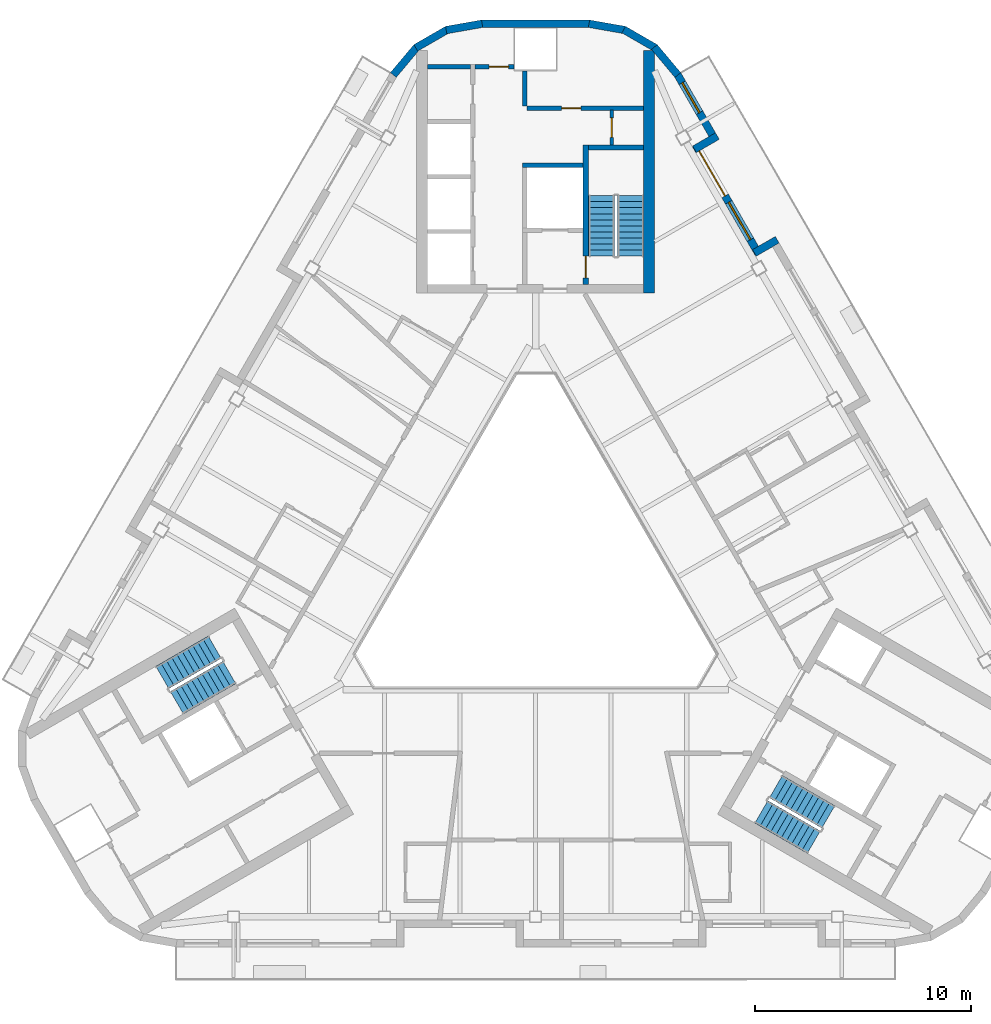
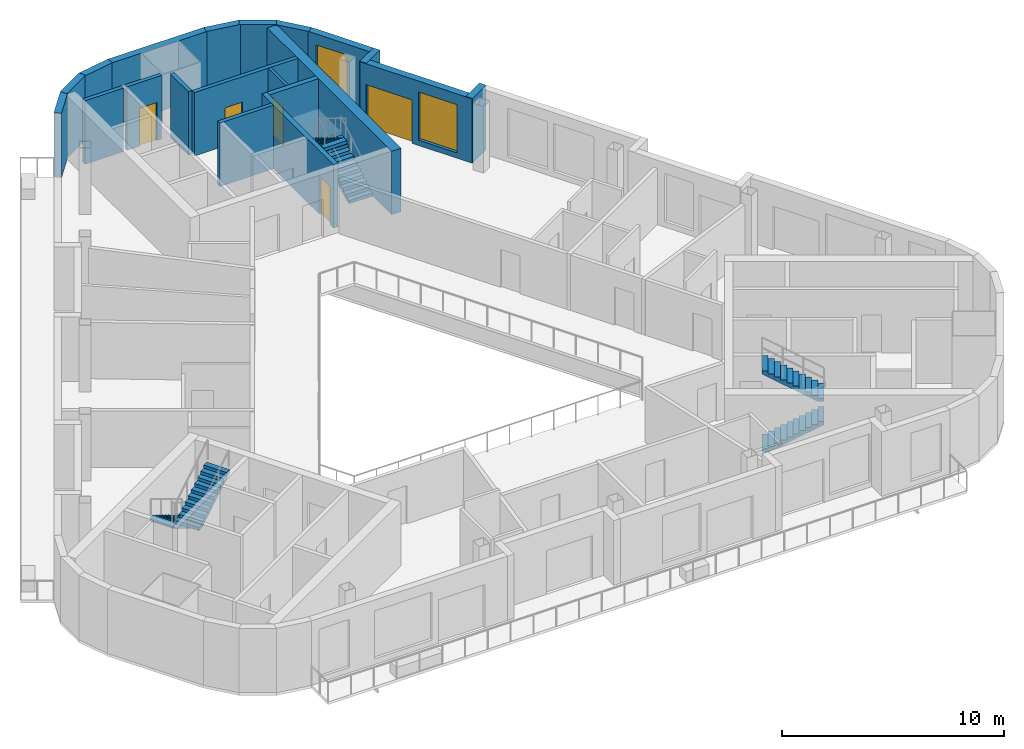
# One storey, part 7 of 12: 20 walls, 6 stair flights, 5 doors, 2 windows, 7 openings, 3 elements without a shape of their own.
"""IFC4 building model written with IfcOpenShell, lengths in metres."""

import ifcopenshell
import ifcopenshell.guid

model = None  # the IFC model being written
_history = None  # IfcOwnerHistory: only IFC2X3 demands one
_inside = {}  # id of a spatial element -> (the spatial element, [elements in it])
_under = {}  # id of a project, library or spatial element -> (it, [spatial elements below it])
_declared = {}  # id of a project -> (the project, [libraries it declares])
_typed = {}  # id of a type object -> (the type object, [elements of that type])
_made_of = {}  # id of a material, layer set ... -> (it, [elements and type objects made of it])


def new_model(schema):
    """Start an empty IFC model of exactly this schema.

    Asked for "IFC4X3", IfcOpenShell would pick the latest addendum, in which some entities
    have other attributes; the version numbers below select the first issue.
    IFC2X3 requires an IfcOwnerHistory on every rooted entity: one is made here for all.
    """
    global model, _history
    if schema == "IFC4X3":
        model = ifcopenshell.file(schema_version=(4, 3, 0, 0))
    else:
        model = ifcopenshell.file(schema=schema)
    _inside.clear()
    _under.clear()
    _declared.clear()
    _typed.clear()
    _made_of.clear()
    _history = None
    if model.schema == "IFC2X3":
        org = make("IfcOrganization", Name="unknown")
        user = make(
            "IfcPersonAndOrganization",
            ThePerson=make("IfcPerson", FamilyName="unknown"),
            TheOrganization=org,
        )
        app = make(
            "IfcApplication",
            ApplicationDeveloper=org,
            Version="unknown",
            ApplicationFullName="unknown",
            ApplicationIdentifier="unknown",
        )
        _history = make(
            "IfcOwnerHistory",
            OwningUser=user,
            OwningApplication=app,
            ChangeAction="ADDED",
            CreationDate=0,
        )
    return model


def make(cls, **values):
    """One entity of the class cls with the attributes given. An attribute that is None is left unset."""
    return model.create_entity(
        cls, **{name: value for name, value in values.items() if value is not None}
    )


def rooted(cls, **values):
    """An entity with a GlobalId (a new one), such as an element, a storey or a relation."""
    return make(cls, GlobalId=ifcopenshell.guid.new(), OwnerHistory=_history, **values)


def si_unit(unit_type, name, prefix=None):
    """IfcSIUnit, for example si_unit("LENGTHUNIT", "METRE", prefix="MILLI")."""
    return make("IfcSIUnit", UnitType=unit_type, Prefix=prefix, Name=name)


def assignment(units):
    """IfcUnitAssignment: the units of a project."""
    return None if units is None else make("IfcUnitAssignment", Units=units)


def point(xyz):
    """IfcCartesianPoint."""
    return None if xyz is None else make("IfcCartesianPoint", Coordinates=xyz)


def direction(xyz):
    """IfcDirection."""
    return None if xyz is None else make("IfcDirection", DirectionRatios=xyz)


def frame(location, z_axis=None, x_axis=None):
    """IfcAxis2Placement3D, a coordinate frame: its origin and axes. An axis left out is left unset."""
    return make(
        "IfcAxis2Placement3D",
        Location=point(location),
        Axis=direction(z_axis),
        RefDirection=direction(x_axis),
    )


def frame_2d(location, x_axis=None):
    """IfcAxis2Placement2D, a coordinate frame in the plane: its origin and x axis."""
    return make(
        "IfcAxis2Placement2D", Location=point(location), RefDirection=direction(x_axis)
    )


def origin():
    """The frame at (0, 0, 0) with its axes left unset."""
    return frame((0.0, 0.0, 0.0))


def place(relative_to, where):
    """IfcLocalPlacement: puts the frame where relative to a parent placement (None: the world)."""
    return make(
        "IfcLocalPlacement", PlacementRelTo=relative_to, RelativePlacement=where
    )


def context(
    kind, dimensions, precision=None, world=None, true_north=None, identifier=None
):
    """IfcGeometricRepresentationContext, for example the 3D "Model" context."""
    return make(
        "IfcGeometricRepresentationContext",
        ContextIdentifier=identifier,
        ContextType=kind,
        CoordinateSpaceDimension=dimensions,
        Precision=precision,
        WorldCoordinateSystem=world,
        TrueNorth=true_north,
    )


def subcontext(parent, identifier, kind, view, scale=None):
    """IfcGeometricRepresentationSubContext, for example "Body" below "Model"."""
    return make(
        "IfcGeometricRepresentationSubContext",
        ContextIdentifier=identifier,
        ContextType=kind,
        ParentContext=parent,
        TargetScale=scale,
        TargetView=view,
    )


def project(units=None, contexts=None):
    """IfcProject with its units and contexts."""
    return rooted(
        "IfcProject",
        Name="project",
        RepresentationContexts=contexts,
        UnitsInContext=assignment(units),
    )


def spatial(cls, under=None, at=None, **own):
    """A site, building, storey or space (cls), placed at a placement, below another one or the project."""
    s = rooted(cls, ObjectPlacement=at, **own)
    if under is not None:
        _under.setdefault(under.id(), (under, []))[1].append(s)
    return s


def polyline(points):
    """IfcPolyline through the points."""
    return make("IfcPolyline", Points=[point(p) for p in points])


def profile(cls, at=None, kind="AREA", **sizes):
    """A parametric profile (cls). Its sizes go by their IFC names, for example OverallWidth=200.0."""
    return make(cls, ProfileType=kind, Position=at, **sizes)


def rectangle(**sizes):
    """IfcRectangleProfileDef."""
    return profile("IfcRectangleProfileDef", **sizes)


def outline(outer, holes=None, kind="AREA"):
    """IfcArbitraryClosedProfileDef: a profile drawn as a closed curve; with holes, ...WithVoids."""
    if holes is None:
        return make("IfcArbitraryClosedProfileDef", ProfileType=kind, OuterCurve=outer)
    return make(
        "IfcArbitraryProfileDefWithVoids",
        ProfileType=kind,
        OuterCurve=outer,
        InnerCurves=holes,
    )


def extrude(swept, where, along, depth):
    """IfcExtrudedAreaSolid: the profile swept, set in the frame where, extruded along a direction by depth."""
    return make(
        "IfcExtrudedAreaSolid",
        SweptArea=swept,
        Position=where,
        ExtrudedDirection=direction(along),
        Depth=depth,
    )


def shape(context_of_items, identifier, shape_type, items):
    """IfcShapeRepresentation: the items that make up one representation, for example the "Body"."""
    return make(
        "IfcShapeRepresentation",
        ContextOfItems=context_of_items,
        RepresentationIdentifier=identifier,
        RepresentationType=shape_type,
        Items=items,
    )


def material(Name=None, Category=None):
    """IfcMaterial."""
    return make("IfcMaterial", Name=Name, Category=Category)


def layer(
    of_material, thickness, ventilated=None, Name=None, Category=None, Priority=None
):
    """IfcMaterialLayer: one layer of a wall or slab, of a material (None: an air gap)."""
    return make(
        "IfcMaterialLayer",
        Material=of_material,
        LayerThickness=thickness,
        IsVentilated=ventilated,
        Name=Name,
        Category=Category,
        Priority=Priority,
    )


def layer_set(layers, Name=None):
    """IfcMaterialLayerSet."""
    return make("IfcMaterialLayerSet", MaterialLayers=layers, LayerSetName=Name)


def made_of(thing, what):
    """Note that an element or type object is made of a material, layer set ...; save() writes the relation."""
    if what is not None:
        _made_of.setdefault(what.id(), (what, []))[1].append(thing)
    return thing


def type_object(cls, material=None, **own):
    """A type object (cls), such as IfcWallType, which elements share."""
    return made_of(rooted(cls, **own), material)


def element(
    cls,
    number,
    at=None,
    inside=None,
    cuts=None,
    type_object=None,
    material=None,
    context=None,
    identifier="Body",
    shape_type=None,
    held_by="IfcProductDefinitionShape",
    body=None,
    shapes=None,
    **own,
):
    """One element of the class cls, such as IfcWall. Its Tag is "e" and its number.

    at: its placement. inside: the storey or other place that contains it. cuts: it is an
    opening in that element (IfcRelVoidsElement). A single representation is given by context,
    identifier, shape_type and body (its items); several are given by shapes. held_by: the class
    of the entity that holds the representations. save() writes the other relations.
    """
    e = rooted(cls, Tag="e%d" % number, ObjectPlacement=at, **own)
    if body is not None:
        shapes = [shape(context, identifier, shape_type, body)]
    if shapes is not None:
        e.Representation = make(held_by, Representations=shapes)
    if inside is not None:
        _inside.setdefault(inside.id(), (inside, []))[1].append(e)
    if cuts is not None:
        rooted(
            "IfcRelVoidsElement", RelatingBuildingElement=cuts, RelatedOpeningElement=e
        )
    if type_object is not None:
        _typed.setdefault(type_object.id(), (type_object, []))[1].append(e)
    return made_of(e, material)


def fill(opening, filler):
    """IfcRelFillsElement: the door or window that sits in an opening."""
    return rooted(
        "IfcRelFillsElement",
        RelatingOpeningElement=opening,
        RelatedBuildingElement=filler,
    )


def aggregate(whole, parts):
    """IfcRelAggregates: a whole, such as a stair, and the parts it consists of."""
    return rooted("IfcRelAggregates", RelatingObject=whole, RelatedObjects=parts)


def save(model, path):
    """Write the relations noted so far, then the file.

    IfcRelAggregates (storeys below a building ...), IfcRelContainedInSpatialStructure (elements
    in a storey), IfcRelDefinesByType, IfcRelAssociatesMaterial and IfcRelDeclares: one each for
    every whole, place, type object, material and project.
    """
    for whole, parts in _under.values():
        aggregate(whole, parts)
    for where, things in _inside.values():
        rooted(
            "IfcRelContainedInSpatialStructure",
            RelatedElements=things,
            RelatingStructure=where,
        )
    for kind, things in _typed.values():
        rooted("IfcRelDefinesByType", RelatedObjects=things, RelatingType=kind)
    for what, things in _made_of.values():
        rooted("IfcRelAssociatesMaterial", RelatedObjects=things, RelatingMaterial=what)
    for by, libraries in _declared.values():
        rooted("IfcRelDeclares", RelatingContext=by, RelatedDefinitions=libraries)
    model.write(path)


model = new_model("IFC4")

# Units and contexts
model_context = context("Model", 3, precision=1e-05, world=origin(), true_north=direction((0.0, 1.0)))
body_context = subcontext(model_context, "Body", "Model", "MODEL_VIEW")
ifc_project = project(units=[si_unit("LENGTHUNIT", "METRE"), si_unit("AREAUNIT", "SQUARE_METRE"), si_unit("VOLUMEUNIT", "CUBIC_METRE"), si_unit("PLANEANGLEUNIT", "RADIAN"), si_unit("MASSUNIT", "GRAM", prefix="KILO")], contexts=[model_context])

# Site, building, storey
site_placement = place(None, origin())
site = spatial("IfcSite", under=ifc_project, at=site_placement, CompositionType="ELEMENT")
building_placement = place(site_placement, origin())
building = spatial("IfcBuilding", under=site, at=building_placement, Name="Apuvela Tower Hotel", CompositionType="ELEMENT")
storey_placement = place(building_placement, frame((0.0, 0.0, 294.800048828125)))
storey = spatial("IfcBuildingStorey", under=building, at=storey_placement, Name="L73", CompositionType="ELEMENT", Elevation=294.800048828125)

# Wall
ifc_material_1 = material(Name="Concrete C50/60", Category="concrete")
ifc_layer_1 = layer(ifc_material_1, 0.5)
ifc_layer_set_1 = layer_set([ifc_layer_1], Name="COR-WALL-CORE-500")
wall_type_1 = type_object("IfcWallType", Name="COR-WALL-CORE-500", PredefinedType="SHEAR", material=ifc_layer_set_1)
wall_1_placement = place(storey_placement, frame((5.25, 12.89990234375, 0.0), z_axis=(0.0, 0.0, 1.0), x_axis=(0.0, 1.0, 0.0)))
element("IfcWall", 1, at=wall_1_placement, inside=storey, type_object=wall_type_1, Name="Core wall N", PredefinedType="SHEAR", context=body_context, shape_type="SweptSolid", body=[
    extrude(rectangle(XDim=11.2216796875, YDim=0.5, at=frame_2d((5.61083984375, 0.0))), origin(), (0.0, 0.0, 1.0), 3.5),
])

# Wall, opening, door
ifc_material_2 = material(Name="Blockwork 150 mm plastered", Category="masonry")
ifc_layer_2 = layer(ifc_material_2, 0.14990234375)
ifc_layer_set_2 = layer_set([ifc_layer_2], Name="COR-WALL-PART-150")
wall_type_2 = type_object("IfcWallType", Name="COR-WALL-PART-150", PredefinedType="PARTITIONING", material=ifc_layer_set_2)
wall_2_placement = place(storey_placement, frame((3.52490234375, 19.75, 0.0), z_axis=(0.0, 0.0, 1.0), x_axis=(0.0, 1.0, 0.0)))
wall_2 = element("IfcWall", 2, at=wall_2_placement, inside=storey, type_object=wall_type_2, Name="Partition N", PredefinedType="PARTITIONING", context=body_context, shape_type="SweptSolid", body=[
    extrude(rectangle(XDim=1.60009765625, YDim=0.14990234375, at=frame_2d((0.800048828125, 0.0))), origin(), (0.0, 0.0, 1.0), 3.5),
])
opening_1_placement = place(wall_2_placement, frame((0.35009765625, 0.0, 0.0)))
opening_1 = element("IfcOpeningElement", 3, at=opening_1_placement, cuts=wall_2, Name="Opening N-RD", PredefinedType="OPENING", context=body_context, shape_type="SweptSolid", body=[
    extrude(rectangle(XDim=0.89990234375, YDim=2.10009765625, at=frame_2d((0.449951171875, 1.050048828125))), frame((0.0, 0.0849609375, 0.0), z_axis=(0.0, -1.0, 0.0), x_axis=(1.0, 0.0, 0.0)), (0.0, 0.0, 1.0), 0.169921875),
])
ifc_material_3 = material(Name="Steel access door, powder coated", Category="steel")
door_type_1 = type_object("IfcDoorType", Name="COR-RD-900", OperationType="NOTDEFINED", PredefinedType="DOOR", material=ifc_material_3)
door_1_placement = place(opening_1_placement, frame((0.89990234375, 0.0, 0.0), z_axis=(0.0, 0.0, 1.0), x_axis=(-1.0, 0.0, 0.0)))
door_1 = element("IfcDoor", 4, at=door_1_placement, inside=storey, type_object=door_type_1, Name="Riser door N-RD", OperationType="SINGLE_SWING_RIGHT", OverallHeight=2.10009765625, OverallWidth=0.89990234375, PredefinedType="DOOR", context=body_context, shape_type="SweptSolid", body=[
    extrude(rectangle(XDim=0.89990234375, YDim=2.10009765625, at=frame_2d((0.449951171875, 1.050048828125))), frame((0.0, 0.02490234375, 0.0), z_axis=(0.0, -1.0, 0.0), x_axis=(1.0, 0.0, 0.0)), (0.0, 0.0, 1.0), 0.050048828125),
])
fill(opening_1, door_1)

ifc_material_4 = material(Name="Blockwork 200 mm plastered", Category="masonry")
ifc_layer_3 = layer(ifc_material_4, 0.199951171875)
ifc_layer_set_3 = layer_set([ifc_layer_3], Name="COR-WALL-PART-200")
wall_type_3 = type_object("IfcWallType", Name="COR-WALL-PART-200", PredefinedType="PARTITIONING", material=ifc_layer_set_3)
wall_3_placement = place(storey_placement, frame((5.0, 21.449951171875, 0.0), z_axis=(0.0, 0.0, 1.0), x_axis=(-1.0, 0.0, 0.0)))
wall_3 = element("IfcWall", 5, at=wall_3_placement, inside=storey, type_object=wall_type_3, Name="Partition N", PredefinedType="PARTITIONING", context=body_context, shape_type="SweptSolid", body=[
    extrude(rectangle(XDim=5.39990234375, YDim=0.199951171875, at=frame_2d((2.699951171875, 0.0))), origin(), (0.0, 0.0, 1.0), 3.5),
])
opening_2_placement = place(wall_3_placement, frame((2.89990234375, 0.0, 0.0)))
opening_2 = element("IfcOpeningElement", 6, at=opening_2_placement, cuts=wall_3, Name="Opening N-RS1", PredefinedType="OPENING", context=body_context, shape_type="SweptSolid", body=[
    extrude(rectangle(XDim=0.89990234375, YDim=2.10009765625, at=frame_2d((0.449951171875, 1.050048828125))), frame((0.0, 0.10986328125, 0.0), z_axis=(0.0, -1.0, 0.0), x_axis=(1.0, 0.0, 0.0)), (0.0, 0.0, 1.0), 0.219970703125),
])
ifc_material_5 = material(Name="Steel fire door, powder coated", Category="steel")
door_type_2 = type_object("IfcDoorType", Name="COR-DR-900", OperationType="NOTDEFINED", PredefinedType="DOOR", material=ifc_material_5)
door_2_placement = place(opening_2_placement, frame((0.89990234375, 0.0, 0.0), z_axis=(0.0, 0.0, 1.0), x_axis=(-1.0, 0.0, 0.0)))
door_2 = element("IfcDoor", 7, at=door_2_placement, inside=storey, type_object=door_type_2, Name="Store door N-RS1", OperationType="SINGLE_SWING_LEFT", OverallHeight=2.10009765625, OverallWidth=0.89990234375, PredefinedType="DOOR", context=body_context, shape_type="SweptSolid", body=[
    extrude(rectangle(XDim=0.89990234375, YDim=2.10009765625, at=frame_2d((0.449951171875, 1.050048828125))), frame((0.0, 0.02490234375, 0.0), z_axis=(0.0, -1.0, 0.0), x_axis=(1.0, 0.0, 0.0)), (0.0, 0.0, 1.0), 0.050048828125),
])
fill(opening_2, door_2)

# Wall
ifc_layer_4 = layer(ifc_material_1, 0.199951171875)
ifc_layer_set_4 = layer_set([ifc_layer_4], Name="COR-WALL-SHAFT-200")
wall_type_4 = type_object("IfcWallType", Name="COR-WALL-SHAFT-200", PredefinedType="SHEAR", material=ifc_layer_set_4)
wall_4_placement = place(storey_placement, frame((2.199951171875, 18.800048828125, 0.0), z_axis=(0.0, 0.0, 1.0), x_axis=(-1.0, 0.0, 0.0)))
element("IfcWall", 8, at=wall_4_placement, inside=storey, type_object=wall_type_4, Name="Shaft wall N", PredefinedType="SHEAR", context=body_context, shape_type="SweptSolid", body=[
    extrude(rectangle(XDim=2.800048828125, YDim=0.199951171875, at=frame_2d((1.39990234375, 0.0))), origin(), (0.0, 0.0, 1.0), 3.5),
])

# Wall, opening, door
wall_5_placement = place(storey_placement, frame((-1.0, 23.360107421875, 0.0), z_axis=(0.0, 0.0, 1.0), x_axis=(-1.0, 0.0, 0.0)))
wall_5 = element("IfcWall", 9, at=wall_5_placement, inside=storey, type_object=wall_type_4, Name="Shaft wall N", PredefinedType="SHEAR", context=body_context, shape_type="SweptSolid", body=[
    extrude(rectangle(XDim=1.800048828125, YDim=0.199951171875, at=frame_2d((0.89990234375, 0.0))), origin(), (0.0, 0.0, 1.0), 3.5),
])
opening_3_placement = place(wall_5_placement, frame((0.25, 0.0, 0.0)))
opening_3 = element("IfcOpeningElement", 10, at=opening_3_placement, cuts=wall_5, Name="Opening N-REP", PredefinedType="OPENING", context=body_context, shape_type="SweptSolid", body=[
    extrude(rectangle(XDim=0.89990234375, YDim=2.10009765625, at=frame_2d((0.449951171875, 1.050048828125))), frame((0.0, 0.10986328125, 0.0), z_axis=(0.0, -1.0, 0.0), x_axis=(1.0, 0.0, 0.0)), (0.0, 0.0, 1.0), 0.219970703125),
])
door_3_placement = place(opening_3_placement, frame((0.89990234375, 0.0, 0.0), z_axis=(0.0, 0.0, 1.0), x_axis=(-1.0, 0.0, 0.0)))
door_3 = element("IfcDoor", 11, at=door_3_placement, inside=storey, type_object=door_type_2, Name="Store door N-REP", OperationType="SINGLE_SWING_LEFT", OverallHeight=2.10009765625, OverallWidth=0.89990234375, PredefinedType="DOOR", context=body_context, shape_type="SweptSolid", body=[
    extrude(rectangle(XDim=0.89990234375, YDim=2.10009765625, at=frame_2d((0.449951171875, 1.050048828125))), frame((0.0, 0.02490234375, 0.0), z_axis=(0.0, -1.0, 0.0), x_axis=(1.0, 0.0, 0.0)), (0.0, 0.0, 1.0), 0.050048828125),
])
fill(opening_3, door_3)

# Walls
wall_6_placement = place(storey_placement, frame((-0.5, 21.550048828125, 0.0), z_axis=(0.0, 0.0, 1.0), x_axis=(0.0, 1.0, 0.0)))
element("IfcWall", 12, at=wall_6_placement, inside=storey, type_object=wall_type_4, Name="Shaft wall N", PredefinedType="SHEAR", context=body_context, shape_type="SweptSolid", body=[
    extrude(rectangle(XDim=1.625, YDim=0.199951171875, at=frame_2d((0.8125, 0.0))), origin(), (0.0, 0.0, 1.0), 3.5),
])
wall_7_placement = place(storey_placement, frame((-3.0, 23.360107421875, 0.0), z_axis=(0.0, 0.0, 1.0), x_axis=(-1.0, 0.0, 0.0)))
element("IfcWall", 13, at=wall_7_placement, inside=storey, type_object=wall_type_4, Name="Shaft wall N", PredefinedType="SHEAR", context=body_context, shape_type="SweptSolid", body=[
    extrude(rectangle(XDim=2.0, YDim=0.199951171875, at=frame_2d((1.0, 0.0))), origin(), (0.0, 0.0, 1.0), 3.5),
])

# Wall, opening, door
ifc_layer_5 = layer(ifc_material_1, 0.25)
ifc_layer_set_5 = layer_set([ifc_layer_5], Name="COR-WALL-STAIR-250")
wall_type_5 = type_object("IfcWallType", Name="COR-WALL-STAIR-250", PredefinedType="SHEAR", material=ifc_layer_set_5)
wall_8_placement = place(storey_placement, frame((2.324951171875, 13.300048828125, 0.0), z_axis=(0.0, 0.0, 1.0), x_axis=(0.0, 1.0, 0.0)))
wall_8 = element("IfcWall", 14, at=wall_8_placement, inside=storey, type_object=wall_type_5, Name="Stair wall N", PredefinedType="SHEAR", context=body_context, shape_type="SweptSolid", body=[
    extrude(rectangle(XDim=6.449951171875, YDim=0.25, at=frame_2d((3.22509765625, 0.0))), origin(), (0.0, 0.0, 1.0), 3.5),
])
opening_4_placement = place(wall_8_placement, frame((0.300048828125, 0.0, 0.0)))
opening_4 = element("IfcOpeningElement", 15, at=opening_4_placement, cuts=wall_8, Name="Opening N-SD", PredefinedType="OPENING", context=body_context, shape_type="SweptSolid", body=[
    extrude(rectangle(XDim=1.0, YDim=2.10009765625, at=frame_2d((0.5, 1.050048828125))), frame((0.0, 0.135009765625, 0.0), z_axis=(0.0, -1.0, 0.0), x_axis=(1.0, 0.0, 0.0)), (0.0, 0.0, 1.0), 0.27001953125),
])
door_type_3 = type_object("IfcDoorType", Name="COR-SD-1000", OperationType="NOTDEFINED", PredefinedType="DOOR", material=ifc_material_5)
door_4_placement = place(opening_4_placement, frame((1.0, 0.0, 0.0), z_axis=(0.0, 0.0, 1.0), x_axis=(-1.0, 0.0, 0.0)))
door_4 = element("IfcDoor", 16, at=door_4_placement, inside=storey, type_object=door_type_3, Name="Stair door N-SD", OperationType="SINGLE_SWING_LEFT", OverallHeight=2.10009765625, OverallWidth=1.0, PredefinedType="DOOR", context=body_context, shape_type="SweptSolid", body=[
    extrude(rectangle(XDim=1.0, YDim=2.10009765625, at=frame_2d((0.5, 1.050048828125))), frame((0.0, 0.02490234375, 0.0), z_axis=(0.0, -1.0, 0.0), x_axis=(1.0, 0.0, 0.0)), (0.0, 0.0, 1.0), 0.050048828125),
])
fill(opening_4, door_4)

# Walls
wall_9_placement = place(storey_placement, frame((5.0, 19.625, 0.0), z_axis=(0.0, 0.0, 1.0), x_axis=(-1.0, 0.0, 0.0)))
element("IfcWall", 17, at=wall_9_placement, inside=storey, type_object=wall_type_5, Name="Stair wall N", PredefinedType="SHEAR", context=body_context, shape_type="SweptSolid", body=[
    extrude(rectangle(XDim=2.550048828125, YDim=0.25, at=frame_2d((1.27490234375, 0.0))), origin(), (0.0, 0.0, 1.0), 3.5),
])
ifc_material_6 = material(Name="Concrete C40/50, dark pigmented precast panel", Category="concrete")
ifc_layer_6 = layer(ifc_material_6, 0.35009765625)
ifc_layer_set_6 = layer_set([ifc_layer_6], Name="ENV-WALL-350")
wall_type_6 = type_object("IfcWallType", Name="ENV-WALL-350", PredefinedType="SOLIDWALL", material=ifc_layer_set_6)
wall_10_placement = place(storey_placement, frame((11.1796875, 15.35986328125, 0.0), z_axis=(0.0, 0.0, 1.0), x_axis=(-0.866055662726, -0.499947586314, 0.0)))
element("IfcWall", 18, at=wall_10_placement, inside=storey, type_object=wall_type_6, Name="External wall L73-38", PredefinedType="SOLIDWALL", context=body_context, shape_type="SweptSolid", body=[
    extrude(rectangle(XDim=1.220458984375, YDim=0.35009765625, at=frame_2d((0.6103515625, 0.0))), origin(), (0.0, 0.0, 1.0), 3.550048828125),
])

# Wall, openings, door, window
wall_11_placement = place(storey_placement, frame((10.321044921875, 14.69677734375, 0.0), z_axis=(0.0, 0.0, 1.0), x_axis=(-0.500005339912, 0.866022320763, 0.0)))
wall_11 = element("IfcWall", 19, at=wall_11_placement, inside=storey, type_object=wall_type_6, Name="External wall L73-39", PredefinedType="SOLIDWALL", context=body_context, shape_type="SweptSolid", body=[
    extrude(rectangle(XDim=5.8271484375, YDim=0.35009765625, at=frame_2d((2.91357421875, 0.0))), origin(), (0.0, 0.0, 1.0), 3.550048828125),
])
opening_5_placement = place(wall_11_placement, frame((3.10693359375, 0.0, 0.0)))
opening_5 = element("IfcOpeningElement", 20, at=opening_5_placement, cuts=wall_11, Name="Opening BD24", PredefinedType="OPENING", context=body_context, shape_type="SweptSolid", body=[
    extrude(rectangle(XDim=2.39990234375, YDim=2.39990234375, at=frame_2d((1.199951171875, 1.199951171875))), frame((0.0, 0.18505859375, 0.0), z_axis=(0.0, -1.0, 0.0), x_axis=(1.0, 0.0, 0.0)), (0.0, 0.0, 1.0), 0.3701171875),
])
opening_6_placement = place(wall_11_placement, frame((0.77001953125, 0.0, 0.300048828125)))
opening_6 = element("IfcOpeningElement", 21, at=opening_6_placement, cuts=wall_11, Name="Opening WN20", PredefinedType="OPENING", context=body_context, shape_type="SweptSolid", body=[
    extrude(rectangle(XDim=2.0, YDim=2.64990234375, at=frame_2d((1.0, 1.324951171875))), frame((0.0, 0.18505859375, 0.0), z_axis=(0.0, -1.0, 0.0), x_axis=(1.0, 0.0, 0.0)), (0.0, 0.0, 1.0), 0.3701171875),
])
ifc_material_7 = material(Name="Aluminium 6063-T6, dark bronze anodised frame with dark tinted laminated glass", Category="aluminium")
door_type_4 = type_object("IfcDoorType", Name="ENV-DOOR-BALCONY-2400x2400", OperationType="SLIDING_TO_LEFT", PredefinedType="DOOR", material=ifc_material_7)
door_5_placement = place(opening_5_placement, frame((2.39990234375, 0.0, 0.0), z_axis=(0.0, 0.0, 1.0), x_axis=(-1.0, 0.0, 0.0)))
door_5 = element("IfcDoor", 22, at=door_5_placement, inside=storey, type_object=door_type_4, Name="Balcony door BD24", OperationType="SLIDING_TO_LEFT", OverallHeight=2.39990234375, OverallWidth=2.39990234375, PredefinedType="DOOR", context=body_context, shape_type="SweptSolid", body=[
    extrude(rectangle(XDim=2.39990234375, YDim=2.39990234375, at=frame_2d((1.199951171875, 1.199951171875))), frame((0.0, 0.02490234375, 0.0), z_axis=(0.0, -1.0, 0.0), x_axis=(1.0, 0.0, 0.0)), (0.0, 0.0, 1.0), 0.050048828125),
])
fill(opening_5, door_5)
ifc_material_8 = material(Name="Glass, dark tinted laminated insulated glazing unit", Category="glass")
window_type_1 = type_object("IfcWindowType", Name="ENV-WIN-2000x2650", PartitioningType="SINGLE_PANEL", PredefinedType="WINDOW", material=ifc_material_8)
window_1_placement = place(opening_6_placement, origin())
window_1 = element("IfcWindow", 23, at=window_1_placement, inside=storey, type_object=window_type_1, Name="Window WN20", OverallHeight=2.64990234375, OverallWidth=2.0, PartitioningType="SINGLE_PANEL", PredefinedType="WINDOW", context=body_context, shape_type="SweptSolid", body=[
    extrude(rectangle(XDim=2.0, YDim=2.64990234375, at=frame_2d((1.0, 1.324951171875))), frame((0.0, 0.030029296875, 0.0), z_axis=(0.0, -1.0, 0.0), x_axis=(1.0, 0.0, 0.0)), (0.0, 0.0, 1.0), 0.06005859375),
])
fill(opening_6, window_1)

# Wall
wall_12_placement = place(storey_placement, frame((7.3544921875, 19.544921875, 0.0), z_axis=(0.0, 0.0, 1.0), x_axis=(0.865955602162, 0.500120880472, 0.0)))
element("IfcWall", 24, at=wall_12_placement, inside=storey, type_object=wall_type_6, Name="External wall L73-40", PredefinedType="SOLIDWALL", context=body_context, shape_type="SweptSolid", body=[
    extrude(rectangle(XDim=1.219970703125, YDim=0.35009765625, at=frame_2d((0.60986328125, 0.0))), origin(), (0.0, 0.0, 1.0), 3.550048828125),
])

# Wall, opening, window
wall_13_placement = place(storey_placement, frame((8.346923828125, 19.916015625, 0.0), z_axis=(0.0, 0.0, 1.0), x_axis=(-0.500010763282, 0.866019189511, 0.0)))
wall_13 = element("IfcWall", 25, at=wall_13_placement, inside=storey, type_object=wall_type_6, Name="External wall L73-41", PredefinedType="SOLIDWALL", context=body_context, shape_type="SweptSolid", body=[
    extrude(rectangle(XDim=3.5673828125, YDim=0.35009765625, at=frame_2d((1.78369140625, 0.0))), origin(), (0.0, 0.0, 1.0), 3.550048828125),
])
opening_7_placement = place(wall_13_placement, frame((1.52490234375, 0.0, 0.300048828125)))
opening_7 = element("IfcOpeningElement", 26, at=opening_7_placement, cuts=wall_13, Name="Opening WN16", PredefinedType="OPENING", context=body_context, shape_type="SweptSolid", body=[
    extrude(rectangle(XDim=1.60009765625, YDim=2.64990234375, at=frame_2d((0.800048828125, 1.324951171875))), frame((0.0, 0.18505859375, 0.0), z_axis=(0.0, -1.0, 0.0), x_axis=(1.0, 0.0, 0.0)), (0.0, 0.0, 1.0), 0.3701171875),
])
window_type_2 = type_object("IfcWindowType", Name="ENV-WIN-1600x2650", PartitioningType="SINGLE_PANEL", PredefinedType="WINDOW", material=ifc_material_8)
window_2_placement = place(opening_7_placement, origin())
window_2 = element("IfcWindow", 27, at=window_2_placement, inside=storey, type_object=window_type_2, Name="Window WN16", OverallHeight=2.64990234375, OverallWidth=1.60009765625, PartitioningType="SINGLE_PANEL", PredefinedType="WINDOW", context=body_context, shape_type="SweptSolid", body=[
    extrude(rectangle(XDim=1.60009765625, YDim=2.64990234375, at=frame_2d((0.800048828125, 1.324951171875))), frame((0.0, 0.030029296875, 0.0), z_axis=(0.0, -1.0, 0.0), x_axis=(1.0, 0.0, 0.0)), (0.0, 0.0, 1.0), 0.06005859375),
])
fill(opening_7, window_2)

# Walls
for number, where, z_axis, x_axis, name in (
    (28, (6.580810546875, 22.980224609375, 0.0), (0.0, 0.0, 1.0), (-0.64278191564, 0.766049220955, 0.0), "External wall L73-42"),
    (29, (5.54150390625, 24.235595703125, 0.0), (0.0, 0.0, 1.0), (-0.86609173884, 0.499885086709, 0.0), "External wall L73-43"),
    (30, (4.135498046875, 25.059326171875, 0.0), (0.0, 0.0, 1.0), (-0.984799556842, 0.173694654046, 0.0), "External wall L73-44"),
):
    element("IfcWall", number, at=place(storey_placement, frame(where, z_axis=z_axis, x_axis=x_axis)), inside=storey, type_object=wall_type_6, Name=name, PredefinedType="SOLIDWALL", context=body_context, shape_type="SweptSolid", body=[
        extrude(rectangle(XDim=1.689453125, YDim=0.35009765625, at=frame_2d((0.8447265625, 0.0))), origin(), (0.0, 0.0, 1.0), 3.550048828125),
    ])
wall_14_placement = place(storey_placement, frame((2.502197265625, 25.35009765625, 0.0), z_axis=(0.0, 0.0, 1.0), x_axis=(-1.0, 0.0, 0.0)))
element("IfcWall", 31, at=wall_14_placement, inside=storey, type_object=wall_type_6, Name="External wall L73-45", PredefinedType="SOLIDWALL", context=body_context, shape_type="SweptSolid", body=[
    extrude(rectangle(XDim=5.00439453125, YDim=0.35009765625, at=frame_2d((2.502197265625, 0.0))), origin(), (0.0, 0.0, 1.0), 3.550048828125),
])
for number, where, z_axis, x_axis, name in (
    (32, (-2.4716796875, 25.352783203125, 0.0), (0.0, 0.0, 1.0), (-0.984799556842, -0.173694654046, 0.0), "External wall L73-46"),
    (33, (-4.078369140625, 25.080078125, 0.0), (0.0, 0.0, 1.0), (-0.86609173884, -0.499885086709, 0.0), "External wall L73-47"),
    (34, (-5.494873046875, 24.2744140625, 0.0), (0.0, 0.0, 1.0), (-0.64278191564, -0.766049220955, 0.0), "External wall L73-48"),
):
    element("IfcWall", number, at=place(storey_placement, frame(where, z_axis=z_axis, x_axis=x_axis)), inside=storey, type_object=wall_type_6, Name=name, PredefinedType="SOLIDWALL", context=body_context, shape_type="SweptSolid", body=[
        extrude(rectangle(XDim=1.689453125, YDim=0.35009765625, at=frame_2d((0.8447265625, 0.0))), origin(), (0.0, 0.0, 1.0), 3.550048828125),
    ])

# Stair, stair flights
stair_type = type_object("IfcStairType", Name="COR-STAIR-22R", PredefinedType="HALF_TURN_STAIR", material=ifc_material_1)
stair_1_placement = place(storey_placement, origin())
stair_1 = element("IfcStair", 35, at=stair_1_placement, inside=storey, type_object=stair_type, Name="L73 Exit stair ST1", PredefinedType="HALF_TURN_STAIR")
stair_flight_type = type_object("IfcStairFlightType", Name="COR-FLIGHT-11R", PredefinedType="STRAIGHT", material=ifc_material_1)
stair_flight_1_placement = place(storey_placement, frame((4.39990234375, 14.60009765625, 0.0), z_axis=(0.0, 0.0, 1.0), x_axis=(0.0, 1.0, 0.0)))
stair_flight_1 = element("IfcStairFlight", 36, at=stair_flight_1_placement, type_object=stair_flight_type, Name="ST1 flight 1", NumberOfRisers=11, NumberOfTreads=10, PredefinedType="STRAIGHT", RiserHeight=0.168181818, TreadLength=0.28, context=body_context, shape_type="SweptSolid", body=[
    extrude(outline(polyline([(0.0, 0.0), (0.0, 0.168212890625), (0.280029296875, 0.168212890625), (0.280029296875, 0.33642578125), (0.56005859375, 0.33642578125), (0.56005859375, 0.504638671875), (0.840087890625, 0.504638671875), (0.840087890625, 0.672607421875), (1.1201171875, 0.672607421875), (1.1201171875, 0.8408203125), (1.39990234375, 0.8408203125), (1.39990234375, 1.009033203125), (1.679931640625, 1.009033203125), (1.679931640625, 1.17724609375), (1.9599609375, 1.17724609375), (1.9599609375, 1.345458984375), (2.239990234375, 1.345458984375), (2.239990234375, 1.513671875), (2.52001953125, 1.513671875), (2.52001953125, 1.681884765625), (2.800048828125, 1.681884765625), (2.800048828125, 1.85009765625), (2.800048828125, 1.5068359375), (0.291015625, 0.0), (0.0, 0.0)])), frame((0.0, 0.60009765625, 0.0), z_axis=(0.0, -1.0, 0.0), x_axis=(1.0, 0.0, 0.0)), (0.0, 0.0, 1.0), 1.199951171875),
])
stair_flight_2_placement = place(storey_placement, frame((3.050048828125, 17.39990234375, 1.849853515625), z_axis=(0.0, 0.0, 1.0), x_axis=(0.0, -1.0, 0.0)))
stair_flight_2 = element("IfcStairFlight", 37, at=stair_flight_2_placement, type_object=stair_flight_type, Name="ST1 flight 2", NumberOfRisers=11, NumberOfTreads=10, PredefinedType="STRAIGHT", RiserHeight=0.168181818, TreadLength=0.28, context=body_context, shape_type="SweptSolid", body=[
    extrude(outline(polyline([(0.0, 0.0), (0.0, 0.168212890625), (0.280029296875, 0.168212890625), (0.280029296875, 0.33642578125), (0.56005859375, 0.33642578125), (0.56005859375, 0.504638671875), (0.840087890625, 0.504638671875), (0.840087890625, 0.672607421875), (1.1201171875, 0.672607421875), (1.1201171875, 0.8408203125), (1.39990234375, 0.8408203125), (1.39990234375, 1.009033203125), (1.679931640625, 1.009033203125), (1.679931640625, 1.17724609375), (1.9599609375, 1.17724609375), (1.9599609375, 1.345458984375), (2.239990234375, 1.345458984375), (2.239990234375, 1.513671875), (2.52001953125, 1.513671875), (2.52001953125, 1.681884765625), (2.800048828125, 1.681884765625), (2.800048828125, 1.85009765625), (2.800048828125, 1.5068359375), (0.291015625, 0.0), (0.0, 0.0)])), frame((0.0, 0.60009765625, 0.0), z_axis=(0.0, -1.0, 0.0), x_axis=(1.0, 0.0, 0.0)), (0.0, 0.0, 1.0), 1.199951171875),
])
aggregate(stair_1, [stair_flight_1, stair_flight_2])

stair_2_placement = place(storey_placement, origin())
stair_2 = element("IfcStair", 38, at=stair_2_placement, inside=storey, type_object=stair_type, Name="L73 Exit stair ST2", PredefinedType="HALF_TURN_STAIR")
stair_flight_3_placement = place(storey_placement, frame((-14.843994140625, -3.489501953125, 0.0), z_axis=(0.0, 0.0, 1.0), x_axis=(-0.866025403784, -0.5, 0.0)))
stair_flight_3 = element("IfcStairFlight", 39, at=stair_flight_3_placement, type_object=stair_flight_type, Name="ST2 flight 1", NumberOfRisers=11, NumberOfTreads=10, PredefinedType="STRAIGHT", RiserHeight=0.168181818, TreadLength=0.28, context=body_context, shape_type="SweptSolid", body=[
    extrude(outline(polyline([(0.0, 0.0), (0.0, 0.168212890625), (0.280029296875, 0.168212890625), (0.280029296875, 0.33642578125), (0.56005859375, 0.33642578125), (0.56005859375, 0.504638671875), (0.840087890625, 0.504638671875), (0.840087890625, 0.672607421875), (1.1201171875, 0.672607421875), (1.1201171875, 0.8408203125), (1.39990234375, 0.8408203125), (1.39990234375, 1.009033203125), (1.679931640625, 1.009033203125), (1.679931640625, 1.17724609375), (1.9599609375, 1.17724609375), (1.9599609375, 1.345458984375), (2.239990234375, 1.345458984375), (2.239990234375, 1.513671875), (2.52001953125, 1.513671875), (2.52001953125, 1.681884765625), (2.800048828125, 1.681884765625), (2.800048828125, 1.85009765625), (2.800048828125, 1.5068359375), (0.291015625, 0.0), (0.0, 0.0)])), frame((0.0, 0.60009765625, 0.0), z_axis=(0.0, -1.0, 0.0), x_axis=(1.0, 0.0, 0.0)), (0.0, 0.0, 1.0), 1.199951171875),
])
stair_flight_4_placement = place(storey_placement, frame((-16.59375, -6.05859375, 1.849853515625), z_axis=(0.0, 0.0, 1.0), x_axis=(0.866025403784, 0.5, 0.0)))
stair_flight_4 = element("IfcStairFlight", 40, at=stair_flight_4_placement, type_object=stair_flight_type, Name="ST2 flight 2", NumberOfRisers=11, NumberOfTreads=10, PredefinedType="STRAIGHT", RiserHeight=0.168181818, TreadLength=0.28, context=body_context, shape_type="SweptSolid", body=[
    extrude(outline(polyline([(0.0, 0.0), (0.0, 0.168212890625), (0.280029296875, 0.168212890625), (0.280029296875, 0.33642578125), (0.56005859375, 0.33642578125), (0.56005859375, 0.504638671875), (0.840087890625, 0.504638671875), (0.840087890625, 0.672607421875), (1.1201171875, 0.672607421875), (1.1201171875, 0.8408203125), (1.39990234375, 0.8408203125), (1.39990234375, 1.009033203125), (1.679931640625, 1.009033203125), (1.679931640625, 1.17724609375), (1.9599609375, 1.17724609375), (1.9599609375, 1.345458984375), (2.239990234375, 1.345458984375), (2.239990234375, 1.513671875), (2.52001953125, 1.513671875), (2.52001953125, 1.681884765625), (2.800048828125, 1.681884765625), (2.800048828125, 1.85009765625), (2.800048828125, 1.5068359375), (0.291015625, 0.0), (0.0, 0.0)])), frame((0.0, 0.60009765625, 0.0), z_axis=(0.0, -1.0, 0.0), x_axis=(1.0, 0.0, 0.0)), (0.0, 0.0, 1.0), 1.199951171875),
])
aggregate(stair_2, [stair_flight_3, stair_flight_4])

stair_3_placement = place(storey_placement, origin())
stair_3 = element("IfcStair", 41, at=stair_3_placement, inside=storey, type_object=stair_type, Name="L73 Exit stair ST3", PredefinedType="HALF_TURN_STAIR")
stair_flight_5_placement = place(storey_placement, frame((10.444091796875, -11.110595703125, 0.0), z_axis=(0.0, 0.0, 1.0), x_axis=(0.866025403784, -0.5, 0.0)))
stair_flight_5 = element("IfcStairFlight", 42, at=stair_flight_5_placement, type_object=stair_flight_type, Name="ST3 flight 1", NumberOfRisers=11, NumberOfTreads=10, PredefinedType="STRAIGHT", RiserHeight=0.168181818, TreadLength=0.28, context=body_context, shape_type="SweptSolid", body=[
    extrude(outline(polyline([(0.0, 0.0), (0.0, 0.168212890625), (0.280029296875, 0.168212890625), (0.280029296875, 0.33642578125), (0.56005859375, 0.33642578125), (0.56005859375, 0.504638671875), (0.840087890625, 0.504638671875), (0.840087890625, 0.672607421875), (1.1201171875, 0.672607421875), (1.1201171875, 0.8408203125), (1.39990234375, 0.8408203125), (1.39990234375, 1.009033203125), (1.679931640625, 1.009033203125), (1.679931640625, 1.17724609375), (1.9599609375, 1.17724609375), (1.9599609375, 1.345458984375), (2.239990234375, 1.345458984375), (2.239990234375, 1.513671875), (2.52001953125, 1.513671875), (2.52001953125, 1.681884765625), (2.800048828125, 1.681884765625), (2.800048828125, 1.85009765625), (2.800048828125, 1.5068359375), (0.291015625, 0.0), (0.0, 0.0)])), frame((0.0, 0.60009765625, 0.0), z_axis=(0.0, -1.0, 0.0), x_axis=(1.0, 0.0, 0.0)), (0.0, 0.0, 1.0), 1.199951171875),
])
stair_flight_6_placement = place(storey_placement, frame((13.5439453125, -11.34130859375, 1.849853515625), z_axis=(0.0, 0.0, 1.0), x_axis=(-0.866025403784, 0.5, 0.0)))
stair_flight_6 = element("IfcStairFlight", 43, at=stair_flight_6_placement, type_object=stair_flight_type, Name="ST3 flight 2", NumberOfRisers=11, NumberOfTreads=10, PredefinedType="STRAIGHT", RiserHeight=0.168181818, TreadLength=0.28, context=body_context, shape_type="SweptSolid", body=[
    extrude(outline(polyline([(0.0, 0.0), (0.0, 0.168212890625), (0.280029296875, 0.168212890625), (0.280029296875, 0.33642578125), (0.56005859375, 0.33642578125), (0.56005859375, 0.504638671875), (0.840087890625, 0.504638671875), (0.840087890625, 0.672607421875), (1.1201171875, 0.672607421875), (1.1201171875, 0.8408203125), (1.39990234375, 0.8408203125), (1.39990234375, 1.009033203125), (1.679931640625, 1.009033203125), (1.679931640625, 1.17724609375), (1.9599609375, 1.17724609375), (1.9599609375, 1.345458984375), (2.239990234375, 1.345458984375), (2.239990234375, 1.513671875), (2.52001953125, 1.513671875), (2.52001953125, 1.681884765625), (2.800048828125, 1.681884765625), (2.800048828125, 1.85009765625), (2.800048828125, 1.5068359375), (0.291015625, 0.0), (0.0, 0.0)])), frame((0.0, 0.60009765625, 0.0), z_axis=(0.0, -1.0, 0.0), x_axis=(1.0, 0.0, 0.0)), (0.0, 0.0, 1.0), 1.199951171875),
])
aggregate(stair_3, [stair_flight_5, stair_flight_6])

save(model, "model.ifc")
